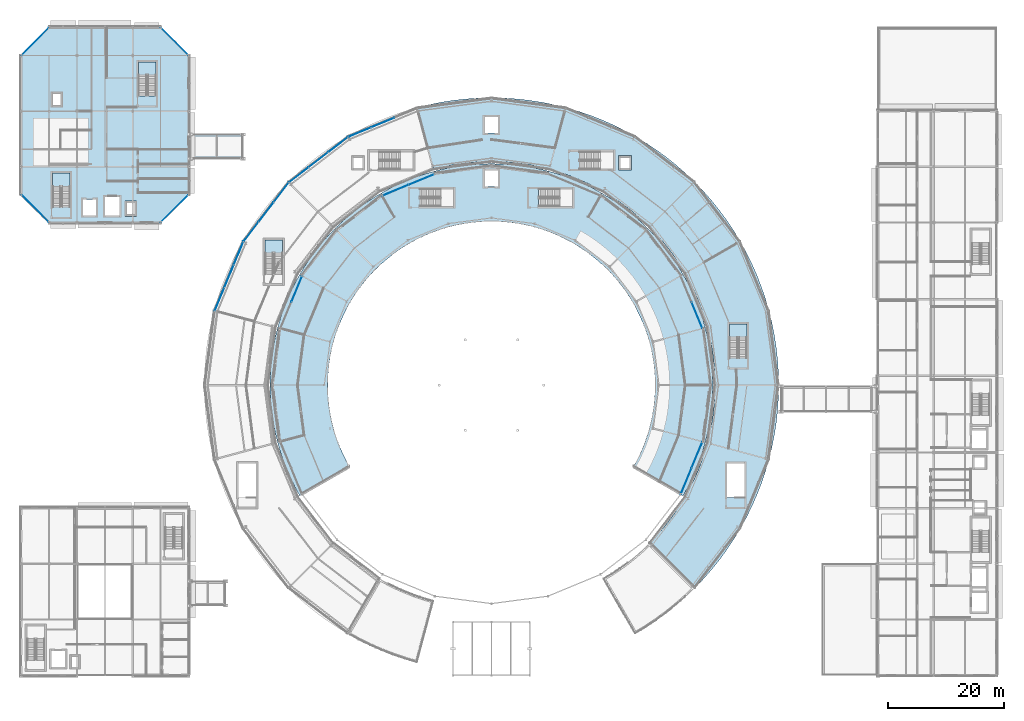
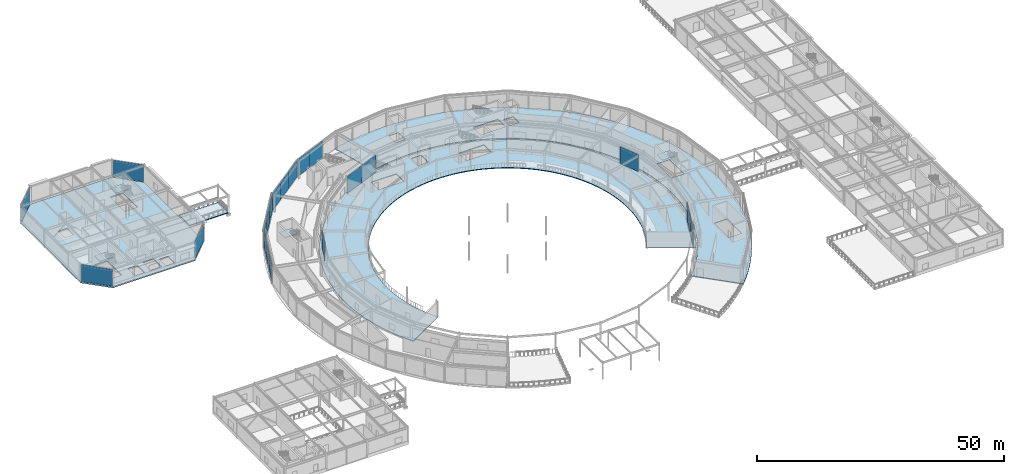
# One storey, part 111 of 157: 21 plates, 8 slabs, 16 elements without a shape of their own.
"""IFC4 building model written with IfcOpenShell, lengths in metres."""

from ifc_helpers import new_model, si_unit, direction, frame, origin, origin_2d, place, context, subcontext, project, spatial, polyline, rectangle, outline, extrude, material, layer, layer_set, type_object, element, aggregate, save


model = new_model("IFC4")

# Units and contexts
model_context = context("Model", 3, precision=1e-05, world=origin(), true_north=direction((0.0, 1.0)))
body_context = subcontext(model_context, "Body", "Model", "MODEL_VIEW")
ifc_project = project(units=[si_unit("LENGTHUNIT", "METRE"), si_unit("AREAUNIT", "SQUARE_METRE"), si_unit("VOLUMEUNIT", "CUBIC_METRE"), si_unit("PLANEANGLEUNIT", "RADIAN"), si_unit("MASSUNIT", "GRAM", prefix="KILO")], contexts=[model_context])

# Site, building, storey
site_placement = place(None, origin())
site = spatial("IfcSite", under=ifc_project, at=site_placement, CompositionType="ELEMENT")
building_placement = place(site_placement, origin())
building = spatial("IfcBuilding", under=site, at=building_placement, Name="Almandine Court Research Institute", CompositionType="ELEMENT")
storey_placement = place(building_placement, frame((0.0, 0.0, 5.25)))
storey = spatial("IfcBuildingStorey", under=building, at=storey_placement, Name="L01", CompositionType="ELEMENT", Elevation=5.25)

# Curtain wall, plate
ifc_material_1 = material(Name="Unitised Curtain Wall Framing and Solar Glazing", Category="glass")
curtain_wall_type_1 = type_object("IfcCurtainWallType", Name="CW-CWG-05", PredefinedType="USERDEFINED", material=ifc_material_1)
curtain_wall_1_placement = place(storey_placement, origin())
curtain_wall_1 = element("IfcCurtainWall", 1, at=curtain_wall_1_placement, inside=storey, type_object=curtain_wall_type_1, Name="L01 Cleanroom NW Chamfer Glazing", ObjectType="UNITISED GLAZING", PredefinedType="USERDEFINED")
ifc_material_2 = material(Name="Double-Glazed Low-E Argon Insulated Glass", Category="glass")
ifc_layer_1 = layer(ifc_material_2, 0.028076171875)
ifc_layer_set_1 = layer_set([ifc_layer_1], Name="Double-Glazed Low-E Argon Insulated Glass")
plate_type_1 = type_object("IfcPlateType", Name="CWPnl-GLZ-28", PredefinedType="CURTAIN_PANEL", material=ifc_layer_set_1)
plate_1_placement = place(storey_placement, frame((8.39990234375, 115.199951171875, 0.06005859375), z_axis=(0.0, 0.0, 1.0), x_axis=(0.707106781187, 0.707106781187, 0.0)))
plate_1 = element("IfcPlate", 2, at=plate_1_placement, type_object=plate_type_1, Name="CWG-05 panel 1.1", PredefinedType="CURTAIN_PANEL", context=body_context, shape_type="SweptSolid", body=[
    extrude(rectangle(XDim=6.656982421875, YDim=0.028076171875, at=origin_2d()), origin(), (0.0, 0.0, 1.0), 4.25),
])
aggregate(curtain_wall_1, [plate_1])

curtain_wall_2_placement = place(storey_placement, origin())
curtain_wall_2 = element("IfcCurtainWall", 3, at=curtain_wall_2_placement, inside=storey, type_object=curtain_wall_type_1, Name="L01 Cleanroom NE Chamfer Glazing", ObjectType="UNITISED GLAZING", PredefinedType="USERDEFINED")
plate_2_placement = place(storey_placement, frame((32.39990234375, 115.199951171875, 0.06005859375), z_axis=(0.0, 0.0, 1.0), x_axis=(0.707106781187, -0.707106781187, 0.0)))
plate_2 = element("IfcPlate", 4, at=plate_2_placement, type_object=plate_type_1, Name="CWG-05 panel 1.1", PredefinedType="CURTAIN_PANEL", context=body_context, shape_type="SweptSolid", body=[
    extrude(rectangle(XDim=6.656982421875, YDim=0.028076171875, at=origin_2d()), origin(), (0.0, 0.0, 1.0), 4.25),
])
aggregate(curtain_wall_2, [plate_2])

curtain_wall_3_placement = place(storey_placement, origin())
curtain_wall_3 = element("IfcCurtainWall", 5, at=curtain_wall_3_placement, inside=storey, type_object=curtain_wall_type_1, Name="L01 Cleanroom SE Chamfer Glazing", ObjectType="UNITISED GLAZING", PredefinedType="USERDEFINED")
plate_3_placement = place(storey_placement, frame((32.39990234375, 86.39990234375, 0.06005859375), z_axis=(0.0, 0.0, 1.0), x_axis=(-0.707106781187, -0.707106781187, 0.0)))
plate_3 = element("IfcPlate", 6, at=plate_3_placement, type_object=plate_type_1, Name="CWG-05 panel 1.1", PredefinedType="CURTAIN_PANEL", context=body_context, shape_type="SweptSolid", body=[
    extrude(rectangle(XDim=6.656982421875, YDim=0.028076171875, at=origin_2d()), origin(), (0.0, 0.0, 1.0), 4.25),
])
aggregate(curtain_wall_3, [plate_3])

curtain_wall_4_placement = place(storey_placement, origin())
curtain_wall_4 = element("IfcCurtainWall", 7, at=curtain_wall_4_placement, inside=storey, type_object=curtain_wall_type_1, Name="L01 Cleanroom SW Chamfer Glazing", ObjectType="UNITISED GLAZING", PredefinedType="USERDEFINED")
plate_4_placement = place(storey_placement, frame((8.39990234375, 86.39990234375, 0.06005859375), z_axis=(0.0, 0.0, 1.0), x_axis=(-0.707106781187, 0.707106781187, 0.0)))
plate_4 = element("IfcPlate", 8, at=plate_4_placement, type_object=plate_type_1, Name="CWG-05 panel 1.1", PredefinedType="CURTAIN_PANEL", context=body_context, shape_type="SweptSolid", body=[
    extrude(rectangle(XDim=6.656982421875, YDim=0.028076171875, at=origin_2d()), origin(), (0.0, 0.0, 1.0), 4.25),
])
aggregate(curtain_wall_4, [plate_4])

# Curtain wall, plates
curtain_wall_type_2 = type_object("IfcCurtainWallType", Name="CW-CWG-20", PredefinedType="USERDEFINED", material=ifc_material_1)
curtain_wall_5_placement = place(storey_placement, origin())
curtain_wall_5 = element("IfcCurtainWall", 9, at=curtain_wall_5_placement, inside=storey, type_object=curtain_wall_type_2, Name="L01 Stacked-Ring Drum Outer Unitised Glazing 07", ObjectType="UNITISED GLAZING", PredefinedType="USERDEFINED")
plate_5_placement = place(storey_placement, frame((64.31982421875, 99.576171875, 0.06005859375), z_axis=(0.0, 0.0, 1.0), x_axis=(0.923888124321, 0.382662689242, 0.0)))
plate_5 = element("IfcPlate", 10, at=plate_5_placement, type_object=plate_type_1, Name="CWG-20 panel 1.1", PredefinedType="CURTAIN_PANEL", context=body_context, shape_type="SweptSolid", body=[
    extrude(rectangle(XDim=4.20263671875, YDim=0.028076171875, at=origin_2d()), origin(), (0.0, 0.0, 1.0), 4.25),
])
plate_6_placement = place(storey_placement, frame((68.27197265625, 101.212890625, 0.06005859375), z_axis=(0.0, 0.0, 1.0), x_axis=(0.923888124321, 0.382662689242, 0.0)))
plate_6 = element("IfcPlate", 11, at=plate_6_placement, type_object=plate_type_1, Name="CWG-20 panel 2.1", PredefinedType="CURTAIN_PANEL", context=body_context, shape_type="SweptSolid", body=[
    extrude(rectangle(XDim=4.232666015625, YDim=0.028076171875, at=origin_2d()), origin(), (0.0, 0.0, 1.0), 4.25),
])
aggregate(curtain_wall_5, [plate_5, plate_6])

curtain_wall_type_3 = type_object("IfcCurtainWallType", Name="CW-CWG-24", PredefinedType="USERDEFINED", material=ifc_material_1)
curtain_wall_6_placement = place(storey_placement, origin())
curtain_wall_6 = element("IfcCurtainWall", 12, at=curtain_wall_6_placement, inside=storey, type_object=curtain_wall_type_3, Name="L01 Interaction Atrium Perimeter Curtain Wall 22", ObjectType="UNITISED GLAZING", PredefinedType="USERDEFINED")
plate_7_placement = place(storey_placement, frame((122.420654296875, 43.9697265625, 0.06005859375), z_axis=(0.0, 0.0, 1.0), x_axis=(-0.382633558665, -0.923900189297, 0.0)))
plate_7 = element("IfcPlate", 13, at=plate_7_placement, type_object=plate_type_1, Name="CWG-24 panel 1.1", PredefinedType="CURTAIN_PANEL", context=body_context, shape_type="SweptSolid", body=[
    extrude(rectangle(XDim=4.82080078125, YDim=0.028076171875, at=origin_2d()), origin(), (0.0, 0.0, 1.0), 4.25),
])
plate_8_placement = place(storey_placement, frame((120.55322265625, 39.46044921875, 0.06005859375), z_axis=(0.0, 0.0, 1.0), x_axis=(-0.382633558665, -0.923900189297, 0.0)))
plate_8 = element("IfcPlate", 14, at=plate_8_placement, type_object=plate_type_1, Name="CWG-24 panel 2.1", PredefinedType="CURTAIN_PANEL", context=body_context, shape_type="SweptSolid", body=[
    extrude(rectangle(XDim=4.82080078125, YDim=0.028076171875, at=origin_2d()), origin(), (0.0, 0.0, 1.0), 4.25),
])
aggregate(curtain_wall_6, [plate_7, plate_8])

# Curtain wall, plate
curtain_wall_7_placement = place(storey_placement, origin())
curtain_wall_7 = element("IfcCurtainWall", 15, at=curtain_wall_7_placement, inside=storey, type_object=curtain_wall_type_3, Name="L01 Interaction Atrium Perimeter Curtain Wall 01", ObjectType="UNITISED GLAZING", PredefinedType="USERDEFINED")
plate_9_placement = place(storey_placement, frame((122.420654296875, 68.0302734375, 0.06005859375), z_axis=(0.0, 0.0, 1.0), x_axis=(0.382633558665, -0.923900189297, 0.0)))
plate_9 = element("IfcPlate", 16, at=plate_9_placement, type_object=plate_type_1, Name="CWG-24 panel 2.1", PredefinedType="CURTAIN_PANEL", context=body_context, shape_type="SweptSolid", body=[
    extrude(rectangle(XDim=4.82080078125, YDim=0.028076171875, at=origin_2d()), origin(), (0.0, 0.0, 1.0), 4.25),
])
aggregate(curtain_wall_7, [plate_9])

# Curtain wall, plates
curtain_wall_8_placement = place(storey_placement, origin())
curtain_wall_8 = element("IfcCurtainWall", 17, at=curtain_wall_8_placement, inside=storey, type_object=curtain_wall_type_3, Name="L01 Interaction Atrium Perimeter Curtain Wall 07", ObjectType="UNITISED GLAZING", PredefinedType="USERDEFINED")
plate_10_placement = place(storey_placement, frame((70.46044921875, 89.55322265625, 0.06005859375), z_axis=(0.0, 0.0, 1.0), x_axis=(0.923900189297, 0.382633558665, 0.0)))
plate_10 = element("IfcPlate", 18, at=plate_10_placement, type_object=plate_type_1, Name="CWG-24 panel 1.1", PredefinedType="CURTAIN_PANEL", context=body_context, shape_type="SweptSolid", body=[
    extrude(rectangle(XDim=4.82080078125, YDim=0.028076171875, at=origin_2d()), origin(), (0.0, 0.0, 1.0), 4.25),
])
plate_11_placement = place(storey_placement, frame((74.9697265625, 91.420654296875, 0.06005859375), z_axis=(0.0, 0.0, 1.0), x_axis=(0.923900189297, 0.382633558665, 0.0)))
plate_11 = element("IfcPlate", 19, at=plate_11_placement, type_object=plate_type_1, Name="CWG-24 panel 2.1", PredefinedType="CURTAIN_PANEL", context=body_context, shape_type="SweptSolid", body=[
    extrude(rectangle(XDim=4.82080078125, YDim=0.028076171875, at=origin_2d()), origin(), (0.0, 0.0, 1.0), 4.25),
])
aggregate(curtain_wall_8, [plate_10, plate_11])

# Curtain wall, plate
curtain_wall_9_placement = place(storey_placement, origin())
curtain_wall_9 = element("IfcCurtainWall", 20, at=curtain_wall_9_placement, inside=storey, type_object=curtain_wall_type_3, Name="L01 Interaction Atrium Perimeter Curtain Wall 10", ObjectType="UNITISED GLAZING", PredefinedType="USERDEFINED")
plate_12_placement = place(storey_placement, frame((53.44677734375, 72.53955078125, 0.06005859375), z_axis=(0.0, 0.0, 1.0), x_axis=(0.382633558665, 0.923900189297, 0.0)))
plate_12 = element("IfcPlate", 21, at=plate_12_placement, type_object=plate_type_1, Name="CWG-24 panel 2.1", PredefinedType="CURTAIN_PANEL", context=body_context, shape_type="SweptSolid", body=[
    extrude(rectangle(XDim=4.82080078125, YDim=0.028076171875, at=origin_2d()), origin(), (0.0, 0.0, 1.0), 4.25),
])
aggregate(curtain_wall_9, [plate_12])

# Curtain wall, plates
curtain_wall_type_4 = type_object("IfcCurtainWallType", Name="CW-CWJ-19", PredefinedType="USERDEFINED", material=ifc_material_1)
curtain_wall_10_placement = place(storey_placement, origin())
curtain_wall_10 = element("IfcCurtainWall", 22, at=curtain_wall_10_placement, inside=storey, type_object=curtain_wall_type_4, Name="L01 Stacked-Ring Drum Outer Solar Jali Screen 08", ObjectType="SOLAR JALI SCREEN", PredefinedType="USERDEFINED")
ifc_material_3 = material(Name="Perforated Ochre Terracotta Jali Solar Cassette", Category="masonry")
ifc_layer_2 = layer(ifc_material_3, 0.035888671875)
ifc_layer_set_2 = layer_set([ifc_layer_2], Name="Perforated Ochre Terracotta Jali Solar Cassette")
plate_type_2 = type_object("IfcPlateType", Name="CWPnl-JALI-36", PredefinedType="CURTAIN_PANEL", material=ifc_layer_set_2)
plate_13_placement = place(storey_placement, frame((53.815673828125, 92.222412109375, 0.06494140625), z_axis=(0.0, 0.0, 1.0), x_axis=(0.793382586046, 0.608723313303, 0.0)))
plate_13 = element("IfcPlate", 23, at=plate_13_placement, type_object=plate_type_2, Name="CWJ-19 panel 1.1", PredefinedType="CURTAIN_PANEL", context=body_context, shape_type="SweptSolid", body=[
    extrude(rectangle(XDim=4.195068359375, YDim=0.035888671875, at=origin_2d()), origin(), (0.0, 0.0, 1.0), 4.239990234375),
])
plate_14_placement = place(storey_placement, frame((57.20849609375, 94.825439453125, 0.06494140625), z_axis=(0.0, 0.0, 1.0), x_axis=(0.793382586046, 0.608723313303, 0.0)))
plate_14 = element("IfcPlate", 24, at=plate_14_placement, type_object=plate_type_2, Name="CWJ-19 panel 2.1", PredefinedType="CURTAIN_PANEL", context=body_context, shape_type="SweptSolid", body=[
    extrude(rectangle(XDim=4.2275390625, YDim=0.035888671875, at=origin_2d()), origin(), (0.0, 0.0, 1.0), 4.239990234375),
])
plate_15_placement = place(storey_placement, frame((60.601318359375, 97.4287109375, 0.06494140625), z_axis=(0.0, 0.0, 1.0), x_axis=(0.793382586046, 0.608723313303, 0.0)))
plate_15 = element("IfcPlate", 25, at=plate_15_placement, type_object=plate_type_2, Name="CWJ-19 panel 3.1", PredefinedType="CURTAIN_PANEL", context=body_context, shape_type="SweptSolid", body=[
    extrude(rectangle(XDim=4.195068359375, YDim=0.035888671875, at=origin_2d()), origin(), (0.0, 0.0, 1.0), 4.239990234375),
])
aggregate(curtain_wall_10, [plate_13, plate_14, plate_15])

curtain_wall_11_placement = place(storey_placement, origin())
curtain_wall_11 = element("IfcCurtainWall", 26, at=curtain_wall_11_placement, inside=storey, type_object=curtain_wall_type_4, Name="L01 Stacked-Ring Drum Outer Solar Jali Screen 09", ObjectType="SOLAR JALI SCREEN", PredefinedType="USERDEFINED")
plate_16_placement = place(storey_placement, frame((45.5712890625, 82.398681640625, 0.06494140625), z_axis=(0.0, 0.0, 1.0), x_axis=(0.608723313303, 0.793382586046, 0.0)))
plate_16 = element("IfcPlate", 27, at=plate_16_placement, type_object=plate_type_2, Name="CWJ-19 panel 1.1", PredefinedType="CURTAIN_PANEL", context=body_context, shape_type="SweptSolid", body=[
    extrude(rectangle(XDim=4.195068359375, YDim=0.035888671875, at=origin_2d()), origin(), (0.0, 0.0, 1.0), 4.239990234375),
])
plate_17_placement = place(storey_placement, frame((48.174560546875, 85.79150390625, 0.06494140625), z_axis=(0.0, 0.0, 1.0), x_axis=(0.608723313303, 0.793382586046, 0.0)))
plate_17 = element("IfcPlate", 28, at=plate_17_placement, type_object=plate_type_2, Name="CWJ-19 panel 2.1", PredefinedType="CURTAIN_PANEL", context=body_context, shape_type="SweptSolid", body=[
    extrude(rectangle(XDim=4.2275390625, YDim=0.035888671875, at=origin_2d()), origin(), (0.0, 0.0, 1.0), 4.239990234375),
])
plate_18_placement = place(storey_placement, frame((50.777587890625, 89.184326171875, 0.06494140625), z_axis=(0.0, 0.0, 1.0), x_axis=(0.608723313303, 0.793382586046, 0.0)))
plate_18 = element("IfcPlate", 29, at=plate_18_placement, type_object=plate_type_2, Name="CWJ-19 panel 3.1", PredefinedType="CURTAIN_PANEL", context=body_context, shape_type="SweptSolid", body=[
    extrude(rectangle(XDim=4.195068359375, YDim=0.035888671875, at=origin_2d()), origin(), (0.0, 0.0, 1.0), 4.239990234375),
])
aggregate(curtain_wall_11, [plate_16, plate_17, plate_18])

curtain_wall_12_placement = place(storey_placement, origin())
curtain_wall_12 = element("IfcCurtainWall", 30, at=curtain_wall_12_placement, inside=storey, type_object=curtain_wall_type_4, Name="L01 Stacked-Ring Drum Outer Solar Jali Screen 10", ObjectType="SOLAR JALI SCREEN", PredefinedType="USERDEFINED")
plate_19_placement = place(storey_placement, frame((40.150634765625, 70.777099609375, 0.06494140625), z_axis=(0.0, 0.0, 1.0), x_axis=(0.382662689242, 0.923888124321, 0.0)))
plate_19 = element("IfcPlate", 31, at=plate_19_placement, type_object=plate_type_2, Name="CWJ-19 panel 1.1", PredefinedType="CURTAIN_PANEL", context=body_context, shape_type="SweptSolid", body=[
    extrude(rectangle(XDim=4.1953125, YDim=0.035888671875, at=origin_2d()), origin(), (0.0, 0.0, 1.0), 4.239990234375),
])
plate_20_placement = place(storey_placement, frame((41.787109375, 74.72802734375, 0.06494140625), z_axis=(0.0, 0.0, 1.0), x_axis=(0.382662689242, 0.923888124321, 0.0)))
plate_20 = element("IfcPlate", 32, at=plate_20_placement, type_object=plate_type_2, Name="CWJ-19 panel 2.1", PredefinedType="CURTAIN_PANEL", context=body_context, shape_type="SweptSolid", body=[
    extrude(rectangle(XDim=4.227783203125, YDim=0.035888671875, at=origin_2d()), origin(), (0.0, 0.0, 1.0), 4.239990234375),
])
plate_21_placement = place(storey_placement, frame((43.42333984375, 78.678955078125, 0.06494140625), z_axis=(0.0, 0.0, 1.0), x_axis=(0.382662689242, 0.923888124321, 0.0)))
plate_21 = element("IfcPlate", 33, at=plate_21_placement, type_object=plate_type_2, Name="CWJ-19 panel 3.1", PredefinedType="CURTAIN_PANEL", context=body_context, shape_type="SweptSolid", body=[
    extrude(rectangle(XDim=4.1953125, YDim=0.035888671875, at=origin_2d()), origin(), (0.0, 0.0, 1.0), 4.239990234375),
])
aggregate(curtain_wall_12, [plate_19, plate_20, plate_21])

# Slabs
ifc_material_4 = material(Name="Concrete C35/45", Category="concrete")
ifc_layer_3 = layer(ifc_material_4, 0.179931640625)
ifc_layer_set_3 = layer_set([ifc_layer_3], Name="Concrete C35/45")
slab_type_1 = type_object("IfcSlabType", Name="Slab-FLR-180", PredefinedType="FLOOR", material=ifc_layer_set_3)
slab_1_placement = place(storey_placement, frame((0.0, 0.0, -0.179931640625)))
element("IfcSlab", 34, at=slab_1_placement, inside=storey, type_object=slab_type_1, Name="L01 Volume 5 Stacked-Ring Drum E Laboratory Slab", PredefinedType="FLOOR", context=body_context, shape_type="SweptSolid", body=[
    extrude(outline(polyline([(122.001953125, 20.998046875), (123.4951171875, 22.55810546875), (124.9189453125, 24.181884765625), (126.27099609375, 25.865966796875), (127.548095703125, 27.60791015625), (128.748046875, 29.404052734375), (129.867919921875, 31.25), (130.906982421875, 33.14306640625), (131.862060546875, 35.080078125), (132.73193359375, 37.056884765625), (133.514892578125, 39.070068359375), (134.208984375, 41.114990234375), (134.81298828125, 43.18798828125), (135.326904296875, 45.285888671875), (135.748046875, 47.404052734375), (136.076904296875, 49.5390625), (136.31201171875, 51.68603515625), (136.452880859375, 53.841064453125), (136.5, 56.0), (136.452880859375, 58.158935546875), (136.31201171875, 60.31396484375), (136.076904296875, 62.4609375), (135.748046875, 64.595947265625), (135.326904296875, 66.714111328125), (134.81298828125, 68.81201171875), (134.208984375, 70.885009765625), (133.514892578125, 72.929931640625), (132.73193359375, 74.943115234375), (131.862060546875, 76.919921875), (130.906982421875, 78.85693359375), (129.867919921875, 80.75), (128.748046875, 82.595947265625), (127.548095703125, 84.39208984375), (126.27099609375, 86.134033203125), (124.9189453125, 87.818115234375), (123.4951171875, 89.44189453125), (122.001953125, 91.001953125), (120.44189453125, 92.4951171875), (118.818115234375, 93.9189453125), (117.134033203125, 95.27099609375), (115.39208984375, 96.548095703125), (113.595947265625, 97.748046875), (111.75, 98.867919921875), (109.85693359375, 99.906982421875), (107.919921875, 100.862060546875), (105.943115234375, 101.73193359375), (103.929931640625, 102.514892578125), (101.885009765625, 103.208984375), (99.81201171875, 103.81298828125), (97.714111328125, 104.326904296875), (95.595947265625, 104.748046875), (93.4609375, 105.076904296875), (91.31396484375, 105.31201171875), (89.158935546875, 105.452880859375), (87.0, 105.5), (84.841064453125, 105.452880859375), (82.68603515625, 105.31201171875), (80.5390625, 105.076904296875), (78.404052734375, 104.748046875), (76.285888671875, 104.326904296875), (74.18798828125, 103.81298828125), (77.034912109375, 93.18798828125), (78.6669921875, 93.5869140625), (80.31494140625, 93.9150390625), (81.97509765625, 94.1708984375), (83.64501953125, 94.35302734375), (85.321044921875, 94.462890625), (87.0, 94.5), (88.678955078125, 94.462890625), (90.35498046875, 94.35302734375), (92.02490234375, 94.1708984375), (93.68505859375, 93.9150390625), (95.3330078125, 93.5869140625), (96.965087890625, 93.18798828125), (98.576904296875, 92.718017578125), (100.16796875, 92.177978515625), (101.73291015625, 91.569091796875), (103.27099609375, 90.89306640625), (104.777099609375, 90.14990234375), (106.25, 89.342041015625), (107.68603515625, 88.470947265625), (109.0830078125, 87.537109375), (110.43701171875, 86.5439453125), (111.7470703125, 85.492919921875), (113.010009765625, 84.385009765625), (114.22412109375, 83.22412109375), (115.385009765625, 82.010009765625), (116.492919921875, 80.7470703125), (117.5439453125, 79.43701171875), (118.537109375, 78.0830078125), (119.470947265625, 76.68603515625), (120.342041015625, 75.25), (121.14990234375, 73.777099609375), (121.89306640625, 72.27099609375), (122.569091796875, 70.73291015625), (123.177978515625, 69.16796875), (123.718017578125, 67.576904296875), (124.18798828125, 65.965087890625), (124.5869140625, 64.3330078125), (124.9150390625, 62.68505859375), (125.1708984375, 61.02490234375), (125.35302734375, 59.35498046875), (125.462890625, 57.678955078125), (125.5, 56.0), (125.462890625, 54.321044921875), (125.35302734375, 52.64501953125), (125.1708984375, 50.97509765625), (124.9150390625, 49.31494140625), (124.5869140625, 47.6669921875), (124.18798828125, 46.034912109375), (123.718017578125, 44.423095703125), (123.177978515625, 42.83203125), (122.569091796875, 41.26708984375), (121.89306640625, 39.72900390625), (121.14990234375, 38.222900390625), (120.342041015625, 36.75), (119.470947265625, 35.31396484375), (118.537109375, 33.9169921875), (117.5439453125, 32.56298828125), (116.492919921875, 31.2529296875), (115.385009765625, 29.989990234375), (114.22412109375, 28.77587890625), (122.001953125, 20.998046875)]), holes=[polyline([(102.14990234375, 93.199951171875), (108.0, 93.199951171875), (108.0, 96.199951171875), (102.14990234375, 96.199951171875), (102.14990234375, 93.199951171875)]), polyline([(131.0, 60.64990234375), (131.0, 66.5), (128.0, 66.5), (128.0, 60.64990234375), (131.0, 60.64990234375)]), polyline([(130.60009765625, 36.64990234375), (130.60009765625, 42.5), (127.60009765625, 42.5), (127.60009765625, 36.64990234375), (130.60009765625, 36.64990234375)]), polyline([(85.85009765625, 99.39990234375), (88.14990234375, 99.39990234375), (88.14990234375, 102.199951171875), (85.85009765625, 102.199951171875), (85.85009765625, 99.39990234375)]), polyline([(108.8798828125, 93.080078125), (111.1201171875, 93.080078125), (111.1201171875, 95.52001953125), (108.8798828125, 95.52001953125), (108.8798828125, 93.080078125)])]), origin(), (0.0, 0.0, 1.0), 0.179931640625),
])
slab_2_placement = place(storey_placement, frame((0.0, 0.0, -0.179931640625)))
element("IfcSlab", 35, at=slab_2_placement, inside=storey, type_object=slab_type_1, Name="L01 Interaction Atrium Terraced Collaboration Gallery Slab", PredefinedType="FLOOR", context=body_context, shape_type="SweptSolid", body=[
    extrude(outline(polyline([(120.0390625, 36.925048828125), (120.839111328125, 38.384033203125), (121.575927734375, 39.876953125), (122.24609375, 41.40087890625), (122.84912109375, 42.951904296875), (123.384033203125, 44.528076171875), (123.85009765625, 46.1259765625), (124.24609375, 47.742919921875), (124.570068359375, 49.375), (124.823974609375, 51.02001953125), (125.0048828125, 52.675048828125), (125.114013671875, 54.3359375), (125.14990234375, 56.0), (125.114013671875, 57.6640625), (125.0048828125, 59.324951171875), (124.823974609375, 60.97998046875), (124.570068359375, 62.625), (124.24609375, 64.257080078125), (123.85009765625, 65.8740234375), (123.384033203125, 67.471923828125), (122.84912109375, 69.048095703125), (122.24609375, 70.59912109375), (121.575927734375, 72.123046875), (120.839111328125, 73.615966796875), (120.0390625, 75.074951171875), (119.175048828125, 76.498046875), (118.2509765625, 77.882080078125), (117.26611328125, 79.22412109375), (116.22509765625, 80.52197265625), (115.126953125, 81.77392578125), (113.97607421875, 82.97607421875), (112.77392578125, 84.126953125), (111.52197265625, 85.22509765625), (110.22412109375, 86.26611328125), (108.882080078125, 87.2509765625), (107.498046875, 88.175048828125), (106.074951171875, 89.0390625), (104.615966796875, 89.839111328125), (103.123046875, 90.575927734375), (101.59912109375, 91.24609375), (100.048095703125, 91.84912109375), (98.471923828125, 92.384033203125), (96.8740234375, 92.85009765625), (95.257080078125, 93.24609375), (93.625, 93.570068359375), (91.97998046875, 93.823974609375), (90.324951171875, 94.0048828125), (88.6640625, 94.114013671875), (87.0, 94.14990234375), (85.3359375, 94.114013671875), (83.675048828125, 94.0048828125), (82.02001953125, 93.823974609375), (80.375, 93.570068359375), (78.742919921875, 93.24609375), (77.1259765625, 92.85009765625), (75.528076171875, 92.384033203125), (73.951904296875, 91.84912109375), (72.40087890625, 91.24609375), (70.876953125, 90.575927734375), (69.384033203125, 89.839111328125), (67.925048828125, 89.0390625), (66.501953125, 88.175048828125), (65.117919921875, 87.2509765625), (63.77587890625, 86.26611328125), (62.47802734375, 85.22509765625), (61.22607421875, 84.126953125), (60.02392578125, 82.97607421875), (58.873046875, 81.77392578125), (57.77490234375, 80.52197265625), (56.73388671875, 79.22412109375), (55.7490234375, 77.882080078125), (54.824951171875, 76.498046875), (53.9609375, 75.074951171875), (53.160888671875, 73.615966796875), (52.424072265625, 72.123046875), (51.75390625, 70.59912109375), (51.15087890625, 69.048095703125), (50.615966796875, 67.471923828125), (50.14990234375, 65.8740234375), (49.75390625, 64.257080078125), (49.429931640625, 62.625), (49.176025390625, 60.97998046875), (48.9951171875, 59.324951171875), (48.885986328125, 57.6640625), (48.85009765625, 56.0), (48.885986328125, 54.3359375), (48.9951171875, 52.675048828125), (49.176025390625, 51.02001953125), (49.429931640625, 49.375), (49.75390625, 47.742919921875), (50.14990234375, 46.1259765625), (50.615966796875, 44.528076171875), (51.15087890625, 42.951904296875), (51.75390625, 41.40087890625), (52.424072265625, 39.876953125), (53.160888671875, 38.384033203125), (53.9609375, 36.925048828125), (62.577880859375, 41.89990234375), (61.986083984375, 42.97900390625), (61.44189453125, 44.08203125), (60.947021484375, 45.2080078125), (60.5009765625, 46.35498046875), (60.10498046875, 47.52001953125), (59.760986328125, 48.700927734375), (59.468017578125, 49.89599609375), (59.22802734375, 51.10302734375), (59.041015625, 52.319091796875), (58.906982421875, 53.5419921875), (58.826904296875, 54.77001953125), (58.800048828125, 56.0), (58.826904296875, 57.22998046875), (58.906982421875, 58.4580078125), (59.041015625, 59.680908203125), (59.22802734375, 60.89697265625), (59.468017578125, 62.10400390625), (59.760986328125, 63.299072265625), (60.10498046875, 64.47998046875), (60.5009765625, 65.64501953125), (60.947021484375, 66.7919921875), (61.44189453125, 67.91796875), (61.986083984375, 69.02099609375), (62.577880859375, 70.10009765625), (63.216064453125, 71.152099609375), (63.89990234375, 72.175048828125), (64.626953125, 73.1669921875), (65.39794921875, 74.126953125), (66.208984375, 75.052001953125), (67.06005859375, 75.93994140625), (67.947998046875, 76.791015625), (68.873046875, 77.60205078125), (69.8330078125, 78.373046875), (70.824951171875, 79.10009765625), (71.847900390625, 79.783935546875), (72.89990234375, 80.422119140625), (73.97900390625, 81.013916015625), (75.08203125, 81.55810546875), (76.2080078125, 82.052978515625), (77.35498046875, 82.4990234375), (78.52001953125, 82.89501953125), (79.700927734375, 83.239013671875), (80.89599609375, 83.531982421875), (82.10302734375, 83.77197265625), (83.319091796875, 83.958984375), (84.5419921875, 84.093017578125), (85.77001953125, 84.173095703125), (87.0, 84.199951171875), (88.22998046875, 84.173095703125), (89.4580078125, 84.093017578125), (90.680908203125, 83.958984375), (91.89697265625, 83.77197265625), (93.10400390625, 83.531982421875), (94.299072265625, 83.239013671875), (95.47998046875, 82.89501953125), (96.64501953125, 82.4990234375), (97.7919921875, 82.052978515625), (98.91796875, 81.55810546875), (100.02099609375, 81.013916015625), (101.10009765625, 80.422119140625), (102.152099609375, 79.783935546875), (103.175048828125, 79.10009765625), (104.1669921875, 78.373046875), (105.126953125, 77.60205078125), (106.052001953125, 76.791015625), (106.93994140625, 75.93994140625), (107.791015625, 75.052001953125), (108.60205078125, 74.126953125), (109.373046875, 73.1669921875), (110.10009765625, 72.175048828125), (110.783935546875, 71.152099609375), (111.422119140625, 70.10009765625), (112.013916015625, 69.02099609375), (112.55810546875, 67.91796875), (113.052978515625, 66.7919921875), (113.4990234375, 65.64501953125), (113.89501953125, 64.47998046875), (114.239013671875, 63.299072265625), (114.531982421875, 62.10400390625), (114.77197265625, 60.89697265625), (114.958984375, 59.680908203125), (115.093017578125, 58.4580078125), (115.173095703125, 57.22998046875), (115.199951171875, 56.0), (115.173095703125, 54.77001953125), (115.093017578125, 53.5419921875), (114.958984375, 52.319091796875), (114.77197265625, 51.10302734375), (114.531982421875, 49.89599609375), (114.239013671875, 48.700927734375), (113.89501953125, 47.52001953125), (113.4990234375, 46.35498046875), (113.052978515625, 45.2080078125), (112.55810546875, 44.08203125), (112.013916015625, 42.97900390625), (111.422119140625, 41.89990234375), (120.0390625, 36.925048828125)]), holes=[polyline([(95.14990234375, 86.800048828125), (101.0, 86.800048828125), (101.0, 89.800048828125), (95.14990234375, 89.800048828125), (95.14990234375, 86.800048828125)]), polyline([(74.64990234375, 86.800048828125), (80.5, 86.800048828125), (80.5, 89.800048828125), (74.64990234375, 89.800048828125), (74.64990234375, 86.800048828125)]), polyline([(85.85009765625, 90.199951171875), (88.14990234375, 90.199951171875), (88.14990234375, 93.0), (85.85009765625, 93.0), (85.85009765625, 90.199951171875)])]), origin(), (0.0, 0.0, 1.0), 0.179931640625),
])

# Stair, slab
stair_type = type_object("IfcStairType", Name="Stair-Core-26R", PredefinedType="HALF_TURN_STAIR", material=ifc_material_4)
stair_1_placement = place(storey_placement, origin())
stair_1 = element("IfcStair", 36, at=stair_1_placement, inside=storey, type_object=stair_type, Name="L01 Cleanroom Pavilion South Exit Stair", PredefinedType="HALF_TURN_STAIR")
ifc_layer_4 = layer(ifc_material_4, 0.179931640625)
ifc_layer_set_4 = layer_set([ifc_layer_4], Name="Concrete C35/45")
slab_type_2 = type_object("IfcSlabType", Name="Slab-Landing-180", PredefinedType="LANDING", material=ifc_layer_set_4)
slab_3_placement = place(storey_placement, frame((0.0, 0.0, 2.094970703125)))
slab_3 = element("IfcSlab", 37, at=slab_3_placement, type_object=slab_type_2, Name="ST-05 landing 1", PredefinedType="LANDING", context=body_context, shape_type="SweptSolid", body=[
    extrude(outline(polyline([(14.39990234375, 90.25), (14.39990234375, 92.5), (11.39990234375, 92.5), (11.39990234375, 90.25), (14.39990234375, 90.25)])), origin(), (0.0, 0.0, 1.0), 0.179931640625),
])
aggregate(stair_1, [slab_3])

stair_2_placement = place(storey_placement, origin())
stair_2 = element("IfcStair", 38, at=stair_2_placement, inside=storey, type_object=stair_type, Name="L01 Cleanroom Pavilion North Exit Stair", PredefinedType="HALF_TURN_STAIR")
slab_4_placement = place(storey_placement, frame((0.0, 0.0, 2.094970703125)))
slab_4 = element("IfcSlab", 39, at=slab_4_placement, type_object=slab_type_2, Name="ST-06 landing 1", PredefinedType="LANDING", context=body_context, shape_type="SweptSolid", body=[
    extrude(outline(polyline([(29.199951171875, 109.449951171875), (29.199951171875, 111.699951171875), (26.199951171875, 111.699951171875), (26.199951171875, 109.449951171875), (29.199951171875, 109.449951171875)])), origin(), (0.0, 0.0, 1.0), 0.179931640625),
])
aggregate(stair_2, [slab_4])

stair_3_placement = place(storey_placement, origin())
stair_3 = element("IfcStair", 40, at=stair_3_placement, inside=storey, type_object=stair_type, Name="L01 Drum East Exit Stair", PredefinedType="HALF_TURN_STAIR")
slab_5_placement = place(storey_placement, frame((0.0, 0.0, 2.094970703125)))
slab_5 = element("IfcSlab", 41, at=slab_5_placement, type_object=slab_type_2, Name="ST-14 landing 1", PredefinedType="LANDING", context=body_context, shape_type="SweptSolid", body=[
    extrude(outline(polyline([(131.0, 64.25), (131.0, 66.5), (128.0, 66.5), (128.0, 64.25), (131.0, 64.25)])), origin(), (0.0, 0.0, 1.0), 0.179931640625),
])
aggregate(stair_3, [slab_5])

stair_4_placement = place(storey_placement, origin())
stair_4 = element("IfcStair", 42, at=stair_4_placement, inside=storey, type_object=stair_type, Name="L01 Drum West Exit Stair", PredefinedType="HALF_TURN_STAIR")
slab_6_placement = place(storey_placement, frame((0.0, 0.0, 2.094970703125)))
slab_6 = element("IfcSlab", 43, at=slab_6_placement, type_object=slab_type_2, Name="ST-15 landing 1", PredefinedType="LANDING", context=body_context, shape_type="SweptSolid", body=[
    extrude(outline(polyline([(51.0, 78.75), (51.0, 81.0), (48.0, 81.0), (48.0, 78.75), (51.0, 78.75)])), origin(), (0.0, 0.0, 1.0), 0.179931640625),
])
aggregate(stair_4, [slab_6])

# Slabs
ifc_layer_5 = layer(ifc_material_4, 0.22509765625)
ifc_layer_set_5 = layer_set([ifc_layer_5], Name="Concrete C35/45")
slab_type_3 = type_object("IfcSlabType", Name="Slab-TER-225", PredefinedType="FLOOR", material=ifc_layer_set_5)
slab_7_placement = place(storey_placement, frame((0.0, 0.0, -0.22509765625)))
element("IfcSlab", 44, at=slab_7_placement, inside=storey, type_object=slab_type_3, Name="L01 Northwest Covered Dalan Passage Covered Bridge Deck Slab", PredefinedType="FLOOR", context=body_context, shape_type="SweptSolid", body=[
    extrude(outline(polyline([(35.10009765625, 95.0), (44.199951171875, 95.0), (44.199951171875, 99.199951171875), (35.10009765625, 99.199951171875), (35.10009765625, 95.0)])), origin(), (0.0, 0.0, 1.0), 0.22509765625),
])
ifc_layer_6 = layer(ifc_material_4, 0.320068359375)
ifc_layer_set_6 = layer_set([ifc_layer_6], Name="Concrete C35/45")
slab_type_4 = type_object("IfcSlabType", Name="Slab-VCE-320", PredefinedType="FLOOR", material=ifc_layer_set_6)
slab_8_placement = place(storey_placement, frame((0.0, 0.0, -0.320068359375)))
element("IfcSlab", 45, at=slab_8_placement, inside=storey, type_object=slab_type_4, Name="L01 Volume 3 Cleanroom Pavilion Floor Slab ", PredefinedType="FLOOR", context=body_context, shape_type="SweptSolid", body=[
    extrude(outline(polyline([(10.800048828125, 84.0), (30.0, 84.0), (34.800048828125, 88.800048828125), (34.800048828125, 112.800048828125), (30.0, 117.60009765625), (10.800048828125, 117.60009765625), (6.0, 112.800048828125), (6.0, 88.800048828125), (10.800048828125, 84.0)]), holes=[polyline([(14.39990234375, 86.64990234375), (14.39990234375, 92.5), (11.39990234375, 92.5), (11.39990234375, 86.64990234375), (14.39990234375, 86.64990234375)]), polyline([(29.199951171875, 105.85009765625), (29.199951171875, 111.699951171875), (26.199951171875, 111.699951171875), (26.199951171875, 105.85009765625), (29.199951171875, 105.85009765625)]), polyline([(16.60009765625, 85.199951171875), (18.89990234375, 85.199951171875), (18.89990234375, 88.0), (16.60009765625, 88.0), (16.60009765625, 85.199951171875)]), polyline([(20.39990234375, 85.199951171875), (22.89990234375, 85.199951171875), (22.89990234375, 88.39990234375), (20.39990234375, 88.39990234375), (20.39990234375, 85.199951171875)]), polyline([(23.830078125, 85.080078125), (25.8701171875, 85.080078125), (25.8701171875, 87.719970703125), (23.830078125, 87.719970703125), (23.830078125, 85.080078125)]), polyline([(11.080078125, 103.8798828125), (13.1201171875, 103.8798828125), (13.1201171875, 106.52001953125), (11.080078125, 106.52001953125), (11.080078125, 103.8798828125)])]), origin(), (0.0, 0.0, 1.0), 0.320068359375),
])

save(model, "model.ifc")
